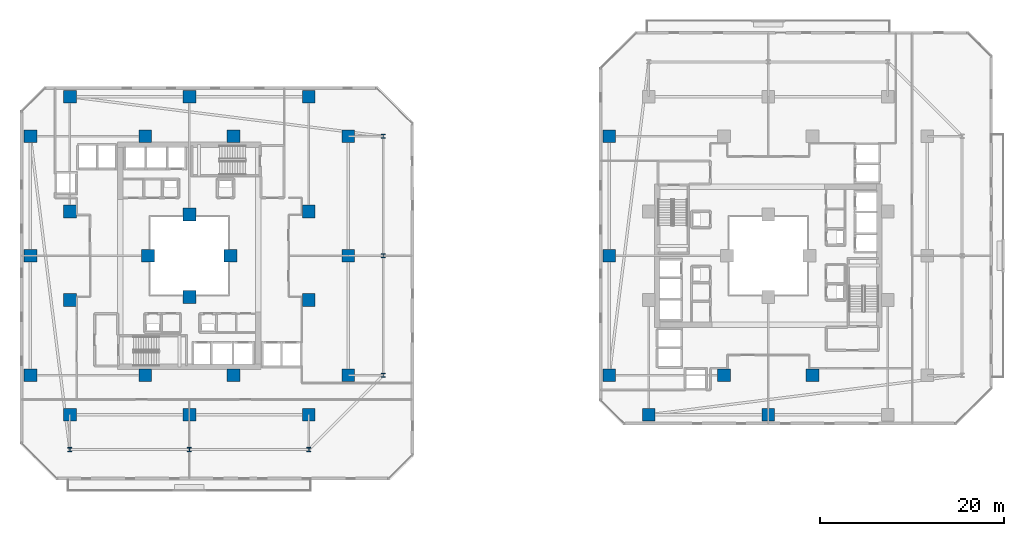
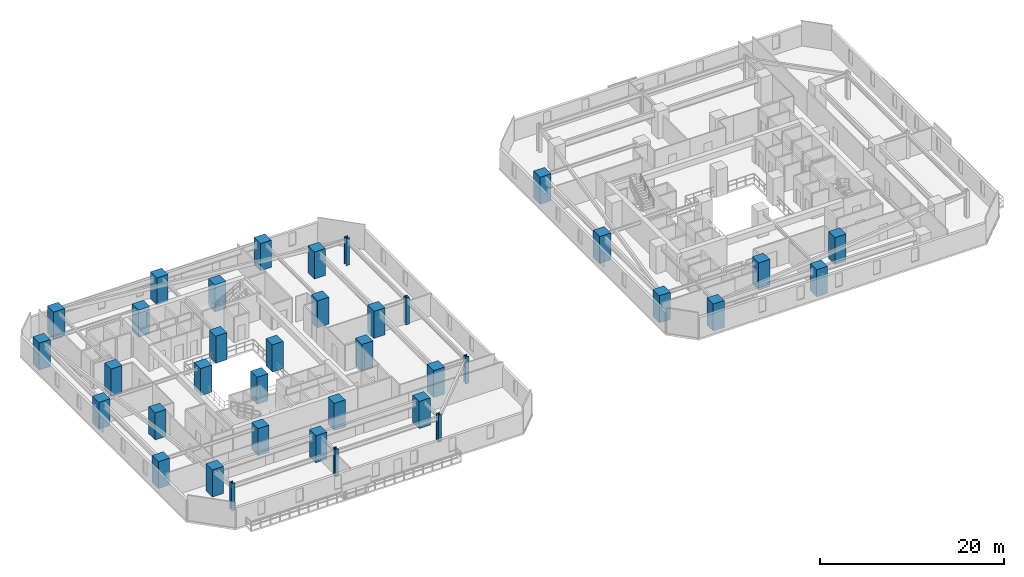
# One storey, part 1 of 34: 37 columns.
"""IFC4 building model written with IfcOpenShell, lengths in metres."""

from ifc_helpers import new_model, si_unit, direction, frame, origin, origin_2d, place, context, subcontext, project, spatial, rectangle, i_section, extrude, material, material_profile, profile_set, type_object, element, save


model = new_model("IFC4")

# Units and contexts
model_context = context("Model", 3, precision=1e-05, world=origin(), true_north=direction((0.0, 1.0)))
body_context = subcontext(model_context, "Body", "Model", "MODEL_VIEW")
ifc_project = project(units=[si_unit("LENGTHUNIT", "METRE"), si_unit("AREAUNIT", "SQUARE_METRE"), si_unit("VOLUMEUNIT", "CUBIC_METRE"), si_unit("PLANEANGLEUNIT", "RADIAN"), si_unit("MASSUNIT", "GRAM", prefix="KILO")], contexts=[model_context])

# Site, building, storey
site_placement = place(None, origin())
site = spatial("IfcSite", under=ifc_project, at=site_placement, CompositionType="ELEMENT")
building_placement = place(site_placement, origin())
building = spatial("IfcBuilding", under=site, at=building_placement, Name="Thornwick Lancets Civic Towers", CompositionType="ELEMENT")
storey_placement = place(building_placement, frame((0.0, 0.0, 53.699951171875)))
storey = spatial("IfcBuildingStorey", under=building, at=storey_placement, Name="L13", CompositionType="ELEMENT", Elevation=53.699951171875)

# Columns
ifc_material_1 = material(Name="Concrete C60/75", Category="concrete")
ifc_material_profile_1 = material_profile(ifc_material_1, rectangle(XDim=1.39990234375, YDim=1.39990234375, at=origin_2d()), Name="RC 1400x1400")
ifc_profile_set_1 = profile_set([ifc_material_profile_1], Name="Concrete C60/75")
column_type_1 = type_object("IfcColumnType", Name="COL_RC_1400", PredefinedType="COLUMN", material=ifc_profile_set_1)
for number, where, z_axis, x_axis, name in (
    (1, (12.5, 9.699951171875, 0.0), (0.0, 0.0, 1.0), (1.0, 0.0, 0.0), "L13 Spine Mega-Column A01"),
    (2, (25.5, 9.699951171875, 0.0), (0.0, 0.0, 1.0), (1.0, 0.0, 0.0), "L13 Spine Mega-Column A02"),
    (3, (38.5, 9.699951171875, 0.0), (0.0, 0.0, 1.0), (1.0, 0.0, 0.0), "L13 Spine Mega-Column A03"),
    (4, (42.800048828125, 14.0, 0.0), (0.0, 0.0, 1.0), (1.0, 0.0, 0.0), "L13 Spine Mega-Column A04"),
    (5, (42.800048828125, 27.0, 0.0), (0.0, 0.0, 1.0), (1.0, 0.0, 0.0), "L13 Spine Mega-Column A05"),
    (6, (42.800048828125, 40.0, 0.0), (0.0, 0.0, 1.0), (1.0, 0.0, 0.0), "L13 Spine Mega-Column A06"),
    (7, (12.5, 44.300048828125, 0.0), (0.0, 0.0, 1.0), (1.0, 0.0, 0.0), "L13 Spine Mega-Column A07"),
    (8, (25.5, 44.300048828125, 0.0), (0.0, 0.0, 1.0), (1.0, 0.0, 0.0), "L13 Spine Mega-Column A08"),
    (9, (38.5, 44.300048828125, 0.0), (0.0, 0.0, 1.0), (1.0, 0.0, 0.0), "L13 Spine Mega-Column A09"),
    (10, (8.199951171875, 14.0, 0.0), (0.0, 0.0, 1.0), (1.0, 0.0, 0.0), "L13 Spine Mega-Column A10"),
    (11, (8.199951171875, 27.0, 0.0), (0.0, 0.0, 1.0), (1.0, 0.0, 0.0), "L13 Spine Mega-Column A11"),
    (12, (8.199951171875, 40.0, 0.0), (0.0, 0.0, 1.0), (1.0, 0.0, 0.0), "L13 Spine Mega-Column A12"),
    (13, (12.5, 22.199951171875, 0.0), (0.0, 0.0, 1.0), (1.0, 0.0, 0.0), "L13 Spine Mega-Column A13"),
    (14, (38.5, 22.199951171875, 0.0), (0.0, 0.0, 1.0), (1.0, 0.0, 0.0), "L13 Spine Mega-Column A14"),
    (15, (12.5, 31.800048828125, 0.0), (0.0, 0.0, 1.0), (1.0, 0.0, 0.0), "L13 Spine Mega-Column A15"),
    (16, (38.5, 31.800048828125, 0.0), (0.0, 0.0, 1.0), (1.0, 0.0, 0.0), "L13 Spine Mega-Column A16"),
    (17, (20.699951171875, 14.0, 0.0), (0.0, 0.0, 1.0), (1.0, 0.0, 0.0), "L13 Spine Mega-Column A17"),
    (18, (30.300048828125, 14.0, 0.0), (0.0, 0.0, 1.0), (1.0, 0.0, 0.0), "L13 Spine Mega-Column A18"),
    (19, (20.699951171875, 40.0, 0.0), (0.0, 0.0, 1.0), (1.0, 0.0, 0.0), "L13 Spine Mega-Column A19"),
    (20, (30.300048828125, 40.0, 0.0), (0.0, 0.0, 1.0), (1.0, 0.0, 0.0), "L13 Spine Mega-Column A20"),
    (21, (25.5, 22.5, 0.0), (0.0, 0.0, 1.0), (1.0, 0.0, 0.0), "L13 Spine Mega-Column A21"),
    (22, (25.5, 31.5, 0.0), (0.0, 0.0, 1.0), (1.0, 0.0, 0.0), "L13 Spine Mega-Column A22"),
    (23, (21.0, 27.0, 0.0), (0.0, 0.0, 1.0), (1.0, 0.0, 0.0), "L13 Spine Mega-Column A23"),
    (24, (30.0, 27.0, 0.0), (0.0, 0.0, 1.0), (1.0, 0.0, 0.0), "L13 Spine Mega-Column A24"),
    (25, (71.199951171875, 14.0, 0.0), (0.0, 0.0, 1.0), (1.0, 0.0, 0.0), "L13 Spine Mega-Column B07"),
    (26, (71.199951171875, 27.0, 0.0), (0.0, 0.0, 1.0), (1.0, 0.0, 0.0), "L13 Spine Mega-Column B08"),
    (27, (71.199951171875, 40.0, 0.0), (0.0, 0.0, 1.0), (1.0, 0.0, 0.0), "L13 Spine Mega-Column B09"),
    (28, (88.5, 9.699951171875, 0.0), (0.0, 0.0, 1.0), (1.0, 0.0, 0.0), "L13 Spine Mega-Column B11"),
    (29, (75.5, 9.699951171875, 0.0), (0.0, 0.0, 1.0), (1.0, 0.0, 0.0), "L13 Spine Mega-Column B12"),
    (30, (93.300048828125, 14.0, 0.0), (0.0, 0.0, 1.0), (1.0, 0.0, 0.0), "L13 Spine Mega-Column B13"),
    (31, (83.699951171875, 14.0, 0.0), (0.0, 0.0, 1.0), (1.0, 0.0, 0.0), "L13 Spine Mega-Column B15"),
):
    element("IfcColumn", number, at=place(storey_placement, frame(where, z_axis=z_axis, x_axis=x_axis)), inside=storey, type_object=column_type_1, Name=name, PredefinedType="COLUMN", context=body_context, shape_type="SweptSolid", body=[
        extrude(rectangle(XDim=1.39990234375, YDim=1.39990234375, at=origin_2d()), origin(), (0.0, 0.0, 1.0), 3.60009765625),
    ])
ifc_material_2 = material(Name="Steel S460M", Category="steel")
ifc_material_profile_2 = material_profile(ifc_material_2, i_section(OverallWidth=0.424072265625, OverallDepth=0.474609375, WebThickness=0.047607421875, FlangeThickness=0.076904296875, FilletRadius=0.01513671875, at=origin_2d()), Name="UKC 356x406x634")
ifc_profile_set_2 = profile_set([ifc_material_profile_2], Name="Steel S460M")
column_type_2 = type_object("IfcColumnType", Name="COL_UKC_634", PredefinedType="COLUMN", material=ifc_profile_set_2)
for number, where, z_axis, x_axis, name in (
    (32, (12.5, 5.89990234375, 0.0), (0.0, 0.0, 1.0), (1.0, 0.0, 0.0), "L13 Block Perimeter Column A01"),
    (33, (25.5, 5.89990234375, 0.0), (0.0, 0.0, 1.0), (1.0, 0.0, 0.0), "L13 Block Perimeter Column A02"),
    (34, (38.5, 5.89990234375, 0.0), (0.0, 0.0, 1.0), (1.0, 0.0, 0.0), "L13 Block Perimeter Column A03"),
    (35, (46.60009765625, 14.0, 0.0), (0.0, 0.0, 1.0), (1.0, 0.0, 0.0), "L13 Block Perimeter Column A04"),
    (36, (46.60009765625, 27.0, 0.0), (0.0, 0.0, 1.0), (1.0, 0.0, 0.0), "L13 Block Perimeter Column A05"),
    (37, (46.60009765625, 40.0, 0.0), (0.0, 0.0, 1.0), (1.0, 0.0, 0.0), "L13 Block Perimeter Column A06"),
):
    element("IfcColumn", number, at=place(storey_placement, frame(where, z_axis=z_axis, x_axis=x_axis)), inside=storey, type_object=column_type_2, Name=name, PredefinedType="COLUMN", context=body_context, shape_type="SweptSolid", body=[
        extrude(i_section(OverallWidth=0.424072265625, OverallDepth=0.474609375, WebThickness=0.047607421875, FlangeThickness=0.076904296875, FilletRadius=0.01513671875, at=origin_2d()), origin(), (0.0, 0.0, 1.0), 3.60009765625),
    ])

save(model, "model.ifc")
